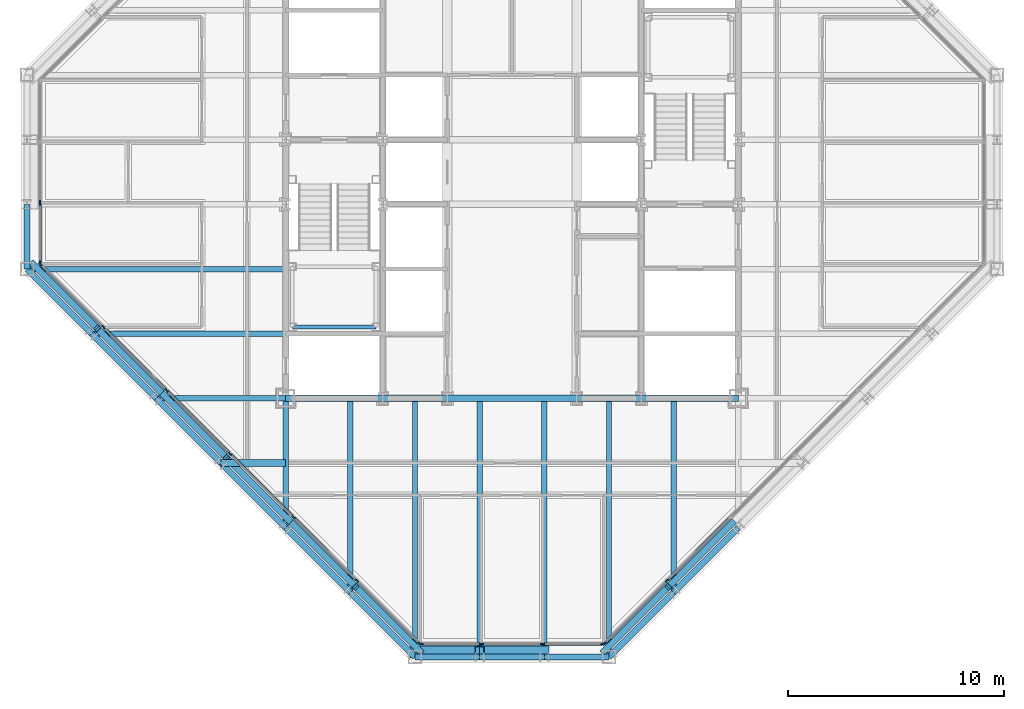
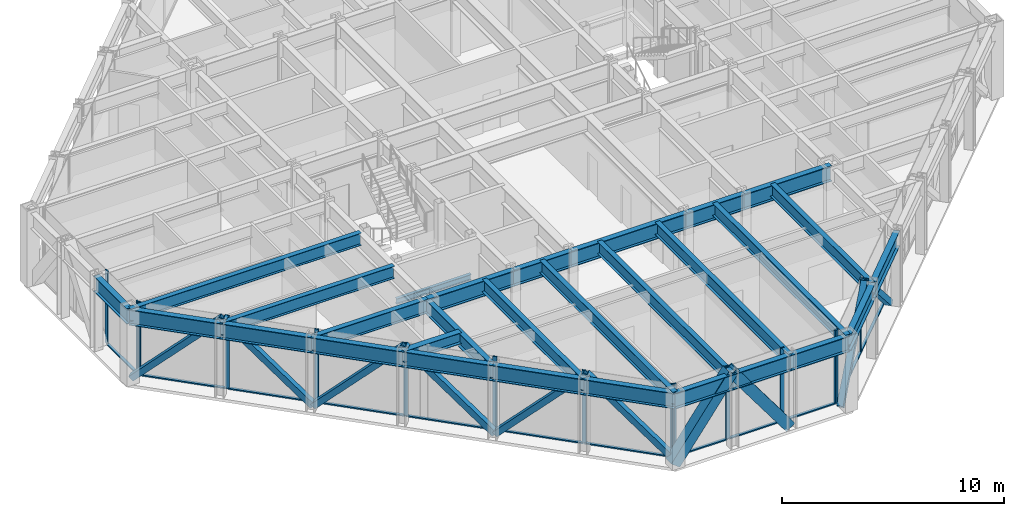
# One storey, part 5 of 15: 37 members, 29 beams, 4 elements without a shape of their own.
"""IFC4 building model written with IfcOpenShell, lengths in metres."""

from ifc_helpers import new_model, si_unit, direction, frame, origin, origin_2d, place, context, subcontext, project, spatial, rectangle, hollow_rectangle, i_section, extrude, material, layer, layer_set, material_profile, profile_set, type_object, element, aggregate, save


model = new_model("IFC4")

# Units and contexts
model_context = context("Model", 3, precision=1e-05, world=origin(), true_north=direction((0.0, 1.0)))
body_context = subcontext(model_context, "Body", "Model", "MODEL_VIEW")
ifc_project = project(units=[si_unit("LENGTHUNIT", "METRE"), si_unit("AREAUNIT", "SQUARE_METRE"), si_unit("VOLUMEUNIT", "CUBIC_METRE"), si_unit("PLANEANGLEUNIT", "RADIAN"), si_unit("MASSUNIT", "GRAM", prefix="KILO")], contexts=[model_context])

# Site, building, storey
site_placement = place(None, origin())
site = spatial("IfcSite", under=ifc_project, at=site_placement, CompositionType="ELEMENT")
building_placement = place(site_placement, origin())
building = spatial("IfcBuilding", under=site, at=building_placement, Name="Chuquiago Exchange Tower", CompositionType="ELEMENT")
storey_placement = place(building_placement, frame((0.0, 0.0, 270.60009765625)))
storey = spatial("IfcBuildingStorey", under=building, at=storey_placement, Name="L60", CompositionType="ELEMENT", Elevation=270.60009765625)

# Beams
ifc_material_1 = material(Name="Steel ASTM A992", Category="steel")
ifc_material_profile_1 = material_profile(ifc_material_1, i_section(OverallWidth=0.25390625, OverallDepth=0.683349609375, WebThickness=0.012451171875, FlangeThickness=0.018798828125, at=origin_2d()), Name="W27X94")
ifc_profile_set_1 = profile_set([ifc_material_profile_1], Name="Steel ASTM A992")
beam_type_1 = type_object("IfcBeamType", Name="B1 W27X94", PredefinedType="BEAM", material=ifc_profile_set_1)
beam_1_placement = place(storey_placement, frame((15.0, 12.0, 3.6982421875), z_axis=(0.0, -1.0, 0.0), x_axis=(1.0, 0.0, 0.0)))
element("IfcBeam", 1, at=beam_1_placement, inside=storey, type_object=beam_type_1, Name="FB-L61-infill-15_12-15_3-0", PredefinedType="BEAM", context=body_context, shape_type="SweptSolid", body=[
    extrude(i_section(OverallWidth=0.25390625, OverallDepth=0.683349609375, WebThickness=0.012451171875, FlangeThickness=0.018798828125, at=origin_2d()), origin(), (0.0, 0.0, 1.0), 9.0),
])
for number, where, z_axis, x_axis, name in (
    (2, (18.0, 12.0, 3.6982421875), (0.0, -1.0, 0.0), (1.0, 0.0, 0.0), "FB-L61-infill-18_12-18_-0-0"),
    (3, (21.0, 12.0, 3.6982421875), (0.0, -1.0, 0.0), (1.0, 0.0, 0.0), "FB-L61-infill-21_12-21_-0-0"),
    (4, (24.0, 12.0, 3.6982421875), (0.0, -1.0, 0.0), (1.0, 0.0, 0.0), "FB-L61-infill-24_12-24_-0-0"),
    (5, (27.0, 12.0, 3.6982421875), (0.0, -1.0, 0.0), (1.0, 0.0, 0.0), "FB-L61-infill-27_12-27_-0-0"),
):
    element("IfcBeam", number, at=place(storey_placement, frame(where, z_axis=z_axis, x_axis=x_axis)), inside=storey, type_object=beam_type_1, Name=name, PredefinedType="BEAM", context=body_context, shape_type="SweptSolid", body=[
        extrude(i_section(OverallWidth=0.25390625, OverallDepth=0.683349609375, WebThickness=0.012451171875, FlangeThickness=0.018798828125, at=origin_2d()), origin(), (0.0, 0.0, 1.0), 12.0),
    ])
for number, where, z_axis, x_axis, name in (
    (6, (30.0, 12.0, 3.6982421875), (0.0, -1.0, 0.0), (1.0, 0.0, 0.0), "FB-L61-infill-30_12-30_3-0"),
    (7, (12.0, 15.0, 3.6982421875), (-1.0, 0.0, 0.0), (0.0, -1.0, 0.0), "FB-L61-infill-12_15-3_15-0"),
):
    element("IfcBeam", number, at=place(storey_placement, frame(where, z_axis=z_axis, x_axis=x_axis)), inside=storey, type_object=beam_type_1, Name=name, PredefinedType="BEAM", context=body_context, shape_type="SweptSolid", body=[
        extrude(i_section(OverallWidth=0.25390625, OverallDepth=0.683349609375, WebThickness=0.012451171875, FlangeThickness=0.018798828125, at=origin_2d()), origin(), (0.0, 0.0, 1.0), 9.0),
    ])
beam_2_placement = place(storey_placement, frame((12.0, 18.0, 3.6982421875), z_axis=(-1.0, 0.0, 0.0), x_axis=(0.0, -1.0, 0.0)))
element("IfcBeam", 8, at=beam_2_placement, inside=storey, type_object=beam_type_1, Name="FB-L61-infill-12_18--0_18-0", PredefinedType="BEAM", context=body_context, shape_type="SweptSolid", body=[
    extrude(i_section(OverallWidth=0.25390625, OverallDepth=0.683349609375, WebThickness=0.012451171875, FlangeThickness=0.018798828125, at=origin_2d()), origin(), (0.0, 0.0, 1.0), 12.0),
])
ifc_material_2 = material(Name="Steel ASTM A992", Category="steel")
ifc_material_profile_2 = material_profile(ifc_material_2, i_section(OverallWidth=0.3251953125, OverallDepth=0.612060546875, WebThickness=0.0126953125, FlangeThickness=0.01904296875, at=origin_2d()), Name="W24X104")
ifc_profile_set_2 = profile_set([ifc_material_profile_2], Name="Steel ASTM A992")
beam_type_2 = type_object("IfcBeamType", Name="B2 W24X104", PredefinedType="BEAM", material=ifc_profile_set_2)
beam_3_placement = place(storey_placement, frame((12.0, 9.0, 3.73388671875), z_axis=(-1.0, 0.0, 0.0), x_axis=(0.0, -1.0, 0.0)))
element("IfcBeam", 9, at=beam_3_placement, inside=storey, type_object=beam_type_2, Name="FB-L61-corner-12_9-9_9-0", PredefinedType="BEAM", context=body_context, shape_type="SweptSolid", body=[
    extrude(i_section(OverallWidth=0.3251953125, OverallDepth=0.612060546875, WebThickness=0.0126953125, FlangeThickness=0.01904296875, at=origin_2d()), origin(), (0.0, 0.0, 1.0), 3.0),
])
ifc_material_3 = material(Name="Steel ASTM A992", Category="steel")
ifc_material_profile_3 = material_profile(ifc_material_3, i_section(OverallWidth=0.2919921875, OverallDepth=0.8583984375, WebThickness=0.01708984375, FlangeThickness=0.031005859375, at=origin_2d()), Name="W33X169")
ifc_profile_set_3 = profile_set([ifc_material_profile_3], Name="Steel ASTM A992")
beam_type_3 = type_object("IfcBeamType", Name="B3 W33X169", PredefinedType="BEAM", material=ifc_profile_set_3)
beam_4_placement = place(storey_placement, frame((12.0, 12.0, 3.610595703125), z_axis=(1.0, 0.0, 0.0), x_axis=(0.0, 1.0, 0.0)))
element("IfcBeam", 10, at=beam_4_placement, inside=storey, type_object=beam_type_3, Name="CB-L61-12_12-16.5_12", PredefinedType="BEAM", context=body_context, shape_type="SweptSolid", body=[
    extrude(i_section(OverallWidth=0.2919921875, OverallDepth=0.8583984375, WebThickness=0.01708984375, FlangeThickness=0.031005859375, at=origin_2d()), origin(), (0.0, 0.0, 1.0), 4.5),
])
beam_5_placement = place(storey_placement, frame((16.5, 12.0, 3.610595703125), z_axis=(1.0, 0.0, 0.0), x_axis=(0.0, 1.0, 0.0)))
element("IfcBeam", 11, at=beam_5_placement, inside=storey, type_object=beam_type_3, Name="CB-L61-16.5_12-19.5_12", PredefinedType="BEAM", context=body_context, shape_type="SweptSolid", body=[
    extrude(i_section(OverallWidth=0.2919921875, OverallDepth=0.8583984375, WebThickness=0.01708984375, FlangeThickness=0.031005859375, at=origin_2d()), origin(), (0.0, 0.0, 1.0), 3.0),
])
beam_6_placement = place(storey_placement, frame((19.5, 12.0, 3.610595703125), z_axis=(1.0, 0.0, 0.0), x_axis=(0.0, 1.0, 0.0)))
element("IfcBeam", 12, at=beam_6_placement, inside=storey, type_object=beam_type_3, Name="CB-L61-19.5_12-25.5_12", PredefinedType="BEAM", context=body_context, shape_type="SweptSolid", body=[
    extrude(i_section(OverallWidth=0.2919921875, OverallDepth=0.8583984375, WebThickness=0.01708984375, FlangeThickness=0.031005859375, at=origin_2d()), origin(), (0.0, 0.0, 1.0), 6.0),
])
beam_7_placement = place(storey_placement, frame((25.5, 12.0, 3.610595703125), z_axis=(1.0, 0.0, 0.0), x_axis=(0.0, 1.0, 0.0)))
element("IfcBeam", 13, at=beam_7_placement, inside=storey, type_object=beam_type_3, Name="CB-L61-25.5_12-28.5_12", PredefinedType="BEAM", context=body_context, shape_type="SweptSolid", body=[
    extrude(i_section(OverallWidth=0.2919921875, OverallDepth=0.8583984375, WebThickness=0.01708984375, FlangeThickness=0.031005859375, at=origin_2d()), origin(), (0.0, 0.0, 1.0), 3.0),
])
beam_8_placement = place(storey_placement, frame((28.5, 12.0, 3.610595703125), z_axis=(1.0, 0.0, 0.0), x_axis=(0.0, 1.0, 0.0)))
element("IfcBeam", 14, at=beam_8_placement, inside=storey, type_object=beam_type_3, Name="CB-L61-28.5_12-33_12", PredefinedType="BEAM", context=body_context, shape_type="SweptSolid", body=[
    extrude(i_section(OverallWidth=0.2919921875, OverallDepth=0.8583984375, WebThickness=0.01708984375, FlangeThickness=0.031005859375, at=origin_2d()), origin(), (0.0, 0.0, 1.0), 4.5),
])

# Curtain wall, members
ifc_material_4 = material(Name="Aluminium curtain wall system", Category="aluminium")
ifc_layer_1 = layer(ifc_material_4, 0.22509765625)
ifc_layer_set_1 = layer_set([ifc_layer_1], Name="CW2 office curtain wall")
curtain_wall_type_1 = type_object("IfcCurtainWallType", Name="CW2 office curtain wall", PredefinedType="NOTDEFINED", material=ifc_layer_set_1)
curtain_wall_1_placement = place(storey_placement, origin())
curtain_wall_1 = element("IfcCurtainWall", 15, at=curtain_wall_1_placement, inside=storey, type_object=curtain_wall_type_1, Name="CW2 curtain wall L60", PredefinedType="NOTDEFINED")
ifc_material_5 = material(Name="Aluminium mullion, pale anodised", Category="aluminium")
ifc_material_profile_4 = material_profile(ifc_material_5, rectangle(XDim=0.06494140625, YDim=0.22509765625, at=origin_2d()), Name="AL 65x225")
ifc_profile_set_4 = profile_set([ifc_material_profile_4], Name="Aluminium mullion, pale anodised")
member_type_1 = type_object("IfcMemberType", Name="CW2-M mullion 65x225", PredefinedType="MULLION", material=ifc_profile_set_4)
member_1_placement = place(storey_placement, frame((18.281005859375, 0.60009765625, 0.0), z_axis=(0.0, 0.0, 1.0), x_axis=(0.0, 1.0, 0.0)))
member_1 = element("IfcMember", 16, at=member_1_placement, type_object=member_type_1, Name="CW2 mullion 1", PredefinedType="MULLION", context=body_context, shape_type="SweptSolid", body=[
    extrude(rectangle(XDim=0.06494140625, YDim=0.22509765625, at=origin_2d()), origin(), (0.0, 0.0, 1.0), 4.039794921875),
])
member_2_placement = place(storey_placement, frame((21.082763671875, 0.60009765625, 0.0), z_axis=(0.0, 0.0, 1.0), x_axis=(0.0, 1.0, 0.0)))
member_2 = element("IfcMember", 17, at=member_2_placement, type_object=member_type_1, Name="CW2 mullion 2", PredefinedType="MULLION", context=body_context, shape_type="SweptSolid", body=[
    extrude(rectangle(XDim=0.06494140625, YDim=0.22509765625, at=origin_2d()), origin(), (0.0, 0.0, 1.0), 4.039794921875),
])
member_3_placement = place(storey_placement, frame((23.917236328125, 0.60009765625, 0.0), z_axis=(0.0, 0.0, 1.0), x_axis=(0.0, 1.0, 0.0)))
member_3 = element("IfcMember", 18, at=member_3_placement, type_object=member_type_1, Name="CW2 mullion 3", PredefinedType="MULLION", context=body_context, shape_type="SweptSolid", body=[
    extrude(rectangle(XDim=0.06494140625, YDim=0.22509765625, at=origin_2d()), origin(), (0.0, 0.0, 1.0), 4.039794921875),
])
member_4_placement = place(storey_placement, frame((26.718994140625, 0.60009765625, 0.0), z_axis=(0.0, 0.0, 1.0), x_axis=(0.0, 1.0, 0.0)))
member_4 = element("IfcMember", 19, at=member_4_placement, type_object=member_type_1, Name="CW2 mullion 4", PredefinedType="MULLION", context=body_context, shape_type="SweptSolid", body=[
    extrude(rectangle(XDim=0.06494140625, YDim=0.22509765625, at=origin_2d()), origin(), (0.0, 0.0, 1.0), 4.039794921875),
])

curtain_wall_2_placement = place(storey_placement, origin())
curtain_wall_2 = element("IfcCurtainWall", 20, at=curtain_wall_2_placement, inside=storey, type_object=curtain_wall_type_1, Name="CW2 curtain wall L60", PredefinedType="NOTDEFINED")
member_5_placement = place(storey_placement, frame((0.60009765625, 21.082763671875, 0.0), z_axis=(0.0, 0.0, 1.0), x_axis=(1.0, 0.0, 0.0)))
member_5 = element("IfcMember", 21, at=member_5_placement, type_object=member_type_1, Name="CW2 mullion 3", PredefinedType="MULLION", context=body_context, shape_type="SweptSolid", body=[
    extrude(rectangle(XDim=0.06494140625, YDim=0.22509765625, at=origin_2d()), origin(), (0.0, 0.0, 1.0), 4.039794921875),
])
member_6_placement = place(storey_placement, frame((0.60009765625, 18.281005859375, 0.0), z_axis=(0.0, 0.0, 1.0), x_axis=(1.0, 0.0, 0.0)))
member_6 = element("IfcMember", 22, at=member_6_placement, type_object=member_type_1, Name="CW2 mullion 4", PredefinedType="MULLION", context=body_context, shape_type="SweptSolid", body=[
    extrude(rectangle(XDim=0.06494140625, YDim=0.22509765625, at=origin_2d()), origin(), (0.0, 0.0, 1.0), 4.039794921875),
])

# Member
ifc_material_6 = material(Name="Aluminium transom, pale anodised", Category="aluminium")
ifc_material_profile_5 = material_profile(ifc_material_6, rectangle(XDim=0.139892578125, YDim=0.06494140625, at=origin_2d()), Name="AL 140x65")
ifc_profile_set_5 = profile_set([ifc_material_profile_5], Name="Aluminium transom, pale anodised")
member_type_2 = type_object("IfcMemberType", Name="CW2-T transom 65x140", PredefinedType="MULLION", material=ifc_profile_set_5)
member_7_placement = place(storey_placement, frame((18.3134765625, 0.60009765625, 0.032470703125), z_axis=(1.0, 0.0, 0.0), x_axis=(0.0, 1.0, 0.0)))
member_7 = element("IfcMember", 23, at=member_7_placement, type_object=member_type_2, Name="CW2 transom 1.1", PredefinedType="MULLION", context=body_context, shape_type="SweptSolid", body=[
    extrude(rectangle(XDim=0.139892578125, YDim=0.06494140625, at=origin_2d()), origin(), (0.0, 0.0, 1.0), 2.73681640625),
])

member_8_placement = place(storey_placement, frame((21.115234375, 0.60009765625, 0.032470703125), z_axis=(1.0, 0.0, 0.0), x_axis=(0.0, 1.0, 0.0)))
member_8 = element("IfcMember", 24, at=member_8_placement, type_object=member_type_2, Name="CW2 transom 2.1", PredefinedType="MULLION", context=body_context, shape_type="SweptSolid", body=[
    extrude(rectangle(XDim=0.139892578125, YDim=0.06494140625, at=origin_2d()), origin(), (0.0, 0.0, 1.0), 2.76953125),
])

member_9_placement = place(storey_placement, frame((23.94970703125, 0.60009765625, 0.032470703125), z_axis=(1.0, 0.0, 0.0), x_axis=(0.0, 1.0, 0.0)))
member_9 = element("IfcMember", 25, at=member_9_placement, type_object=member_type_2, Name="CW2 transom 3.1", PredefinedType="MULLION", context=body_context, shape_type="SweptSolid", body=[
    extrude(rectangle(XDim=0.139892578125, YDim=0.06494140625, at=origin_2d()), origin(), (0.0, 0.0, 1.0), 2.73681640625),
])

aggregate(curtain_wall_1, [member_1, member_2, member_3, member_4, member_7, member_8, member_9])

member_10_placement = place(storey_placement, frame((0.60009765625, 21.05029296875, 0.032470703125), z_axis=(0.0, -1.0, 0.0), x_axis=(1.0, 0.0, 0.0)))
member_10 = element("IfcMember", 26, at=member_10_placement, type_object=member_type_2, Name="CW2 transom 3.1", PredefinedType="MULLION", context=body_context, shape_type="SweptSolid", body=[
    extrude(rectangle(XDim=0.139892578125, YDim=0.06494140625, at=origin_2d()), origin(), (0.0, 0.0, 1.0), 2.73681640625),
])

aggregate(curtain_wall_2, [member_5, member_6, member_10])

# Curtain wall, members
ifc_material_7 = material(Name="Aluminium curtain wall system", Category="aluminium")
ifc_layer_2 = layer(ifc_material_7, 0.199951171875)
ifc_layer_set_2 = layer_set([ifc_layer_2], Name="CW3 facet curtain wall")
curtain_wall_type_2 = type_object("IfcCurtainWallType", Name="CW3 facet curtain wall", PredefinedType="NOTDEFINED", material=ifc_layer_set_2)
curtain_wall_3_placement = place(storey_placement, origin())
curtain_wall_3 = element("IfcCurtainWall", 27, at=curtain_wall_3_placement, inside=storey, type_object=curtain_wall_type_2, Name="CW3 curtain wall L60", PredefinedType="NOTDEFINED")
ifc_material_8 = material(Name="Aluminium mullion, pale anodised", Category="aluminium")
ifc_material_profile_6 = material_profile(ifc_material_8, rectangle(XDim=0.06494140625, YDim=0.199951171875, at=origin_2d()), Name="AL 65x200")
ifc_profile_set_6 = profile_set([ifc_material_profile_6], Name="Aluminium mullion, pale anodised")
member_type_3 = type_object("IfcMemberType", Name="CW3-M mullion 65x200", PredefinedType="MULLION", material=ifc_profile_set_6)
member_11_placement = place(storey_placement, frame((26.7744140625, 0.623046875, 0.0), z_axis=(0.0, 0.0, 1.0), x_axis=(-0.707106781187, 0.707106781187, 0.0)))
member_11 = element("IfcMember", 28, at=member_11_placement, type_object=member_type_3, Name="CW3 mullion 1", PredefinedType="MULLION", context=body_context, shape_type="SweptSolid", body=[
    extrude(rectangle(XDim=0.06494140625, YDim=0.199951171875, at=origin_2d()), origin(), (0.0, 0.0, 1.0), 4.039794921875),
])
member_12_placement = place(storey_placement, frame((29.69287109375, 3.54150390625, 0.0), z_axis=(0.0, 0.0, 1.0), x_axis=(-0.707106781187, 0.707106781187, 0.0)))
member_12 = element("IfcMember", 29, at=member_12_placement, type_object=member_type_3, Name="CW3 mullion 2", PredefinedType="MULLION", context=body_context, shape_type="SweptSolid", body=[
    extrude(rectangle(XDim=0.06494140625, YDim=0.199951171875, at=origin_2d()), origin(), (0.0, 0.0, 1.0), 4.039794921875),
])

curtain_wall_4_placement = place(storey_placement, origin())
curtain_wall_4 = element("IfcCurtainWall", 30, at=curtain_wall_4_placement, inside=storey, type_object=curtain_wall_type_2, Name="CW3 curtain wall L60", PredefinedType="NOTDEFINED")
member_13_placement = place(storey_placement, frame((0.623046875, 18.2255859375, 0.0), z_axis=(0.0, 0.0, 1.0), x_axis=(0.707106781187, 0.707106781187, 0.0)))
member_13 = element("IfcMember", 31, at=member_13_placement, type_object=member_type_3, Name="CW3 mullion 1", PredefinedType="MULLION", context=body_context, shape_type="SweptSolid", body=[
    extrude(rectangle(XDim=0.06494140625, YDim=0.199951171875, at=origin_2d()), origin(), (0.0, 0.0, 1.0), 4.039794921875),
])
member_14_placement = place(storey_placement, frame((3.54150390625, 15.30712890625, 0.0), z_axis=(0.0, 0.0, 1.0), x_axis=(0.707106781187, 0.707106781187, 0.0)))
member_14 = element("IfcMember", 32, at=member_14_placement, type_object=member_type_3, Name="CW3 mullion 2", PredefinedType="MULLION", context=body_context, shape_type="SweptSolid", body=[
    extrude(rectangle(XDim=0.06494140625, YDim=0.199951171875, at=origin_2d()), origin(), (0.0, 0.0, 1.0), 4.039794921875),
])
member_15_placement = place(storey_placement, frame((6.48291015625, 12.36572265625, 0.0), z_axis=(0.0, 0.0, 1.0), x_axis=(0.707106781187, 0.707106781187, 0.0)))
member_15 = element("IfcMember", 33, at=member_15_placement, type_object=member_type_3, Name="CW3 mullion 3", PredefinedType="MULLION", context=body_context, shape_type="SweptSolid", body=[
    extrude(rectangle(XDim=0.06494140625, YDim=0.199951171875, at=origin_2d()), origin(), (0.0, 0.0, 1.0), 4.039794921875),
])
member_16_placement = place(storey_placement, frame((9.42431640625, 9.42431640625, 0.0), z_axis=(0.0, 0.0, 1.0), x_axis=(0.707106781187, 0.707106781187, 0.0)))
member_16 = element("IfcMember", 34, at=member_16_placement, type_object=member_type_3, Name="CW3 mullion 4", PredefinedType="MULLION", context=body_context, shape_type="SweptSolid", body=[
    extrude(rectangle(XDim=0.06494140625, YDim=0.199951171875, at=origin_2d()), origin(), (0.0, 0.0, 1.0), 4.039794921875),
])
member_17_placement = place(storey_placement, frame((12.36572265625, 6.48291015625, 0.0), z_axis=(0.0, 0.0, 1.0), x_axis=(0.707106781187, 0.707106781187, 0.0)))
member_17 = element("IfcMember", 35, at=member_17_placement, type_object=member_type_3, Name="CW3 mullion 5", PredefinedType="MULLION", context=body_context, shape_type="SweptSolid", body=[
    extrude(rectangle(XDim=0.06494140625, YDim=0.199951171875, at=origin_2d()), origin(), (0.0, 0.0, 1.0), 4.039794921875),
])
member_18_placement = place(storey_placement, frame((15.30712890625, 3.54150390625, 0.0), z_axis=(0.0, 0.0, 1.0), x_axis=(0.707106781187, 0.707106781187, 0.0)))
member_18 = element("IfcMember", 36, at=member_18_placement, type_object=member_type_3, Name="CW3 mullion 6", PredefinedType="MULLION", context=body_context, shape_type="SweptSolid", body=[
    extrude(rectangle(XDim=0.06494140625, YDim=0.199951171875, at=origin_2d()), origin(), (0.0, 0.0, 1.0), 4.039794921875),
])
member_19_placement = place(storey_placement, frame((18.2255859375, 0.623046875, 0.0), z_axis=(0.0, 0.0, 1.0), x_axis=(0.707106781187, 0.707106781187, 0.0)))
member_19 = element("IfcMember", 37, at=member_19_placement, type_object=member_type_3, Name="CW3 mullion 7", PredefinedType="MULLION", context=body_context, shape_type="SweptSolid", body=[
    extrude(rectangle(XDim=0.06494140625, YDim=0.199951171875, at=origin_2d()), origin(), (0.0, 0.0, 1.0), 4.039794921875),
])

# Member
ifc_material_9 = material(Name="Aluminium transom, pale anodised", Category="aluminium")
ifc_material_profile_7 = material_profile(ifc_material_9, rectangle(XDim=0.139892578125, YDim=0.06494140625, at=origin_2d()), Name="AL 140x65")
ifc_profile_set_7 = profile_set([ifc_material_profile_7], Name="Aluminium transom, pale anodised")
member_type_4 = type_object("IfcMemberType", Name="CW3-T transom 65x140", PredefinedType="MULLION", material=ifc_profile_set_7)
member_20_placement = place(storey_placement, frame((26.79736328125, 0.64599609375, 0.032470703125), z_axis=(0.707106781187, 0.707106781187, 0.0), x_axis=(-0.707106781187, 0.707106781187, 0.0)))
member_20 = element("IfcMember", 38, at=member_20_placement, type_object=member_type_4, Name="CW3 transom 1.1", PredefinedType="MULLION", context=body_context, shape_type="SweptSolid", body=[
    extrude(rectangle(XDim=0.139892578125, YDim=0.06494140625, at=origin_2d()), origin(), (0.0, 0.0, 1.0), 4.0625),
])

member_21_placement = place(storey_placement, frame((29.7158203125, 3.564453125, 0.032470703125), z_axis=(0.707106781187, 0.707106781187, 0.0), x_axis=(-0.707106781187, 0.707106781187, 0.0)))
member_21 = element("IfcMember", 39, at=member_21_placement, type_object=member_type_4, Name="CW3 transom 2.1", PredefinedType="MULLION", context=body_context, shape_type="SweptSolid", body=[
    extrude(rectangle(XDim=0.139892578125, YDim=0.06494140625, at=origin_2d()), origin(), (0.0, 0.0, 1.0), 4.094970703125),
])

aggregate(curtain_wall_3, [member_11, member_12, member_20, member_21])

member_22_placement = place(storey_placement, frame((0.64599609375, 18.20263671875, 0.032470703125), z_axis=(0.707106781187, -0.707106781187, 0.0), x_axis=(0.707106781187, 0.707106781187, 0.0)))
member_22 = element("IfcMember", 40, at=member_22_placement, type_object=member_type_4, Name="CW3 transom 1.1", PredefinedType="MULLION", context=body_context, shape_type="SweptSolid", body=[
    extrude(rectangle(XDim=0.139892578125, YDim=0.06494140625, at=origin_2d()), origin(), (0.0, 0.0, 1.0), 4.0625),
])

member_23_placement = place(storey_placement, frame((3.564453125, 15.2841796875, 0.032470703125), z_axis=(0.707106781187, -0.707106781187, 0.0), x_axis=(0.707106781187, 0.707106781187, 0.0)))
member_23 = element("IfcMember", 41, at=member_23_placement, type_object=member_type_4, Name="CW3 transom 2.1", PredefinedType="MULLION", context=body_context, shape_type="SweptSolid", body=[
    extrude(rectangle(XDim=0.139892578125, YDim=0.06494140625, at=origin_2d()), origin(), (0.0, 0.0, 1.0), 4.094970703125),
])

member_24_placement = place(storey_placement, frame((6.505859375, 12.3427734375, 0.032470703125), z_axis=(0.707106781187, -0.707106781187, 0.0), x_axis=(0.707106781187, 0.707106781187, 0.0)))
member_24 = element("IfcMember", 42, at=member_24_placement, type_object=member_type_4, Name="CW3 transom 3.1", PredefinedType="MULLION", context=body_context, shape_type="SweptSolid", body=[
    extrude(rectangle(XDim=0.139892578125, YDim=0.06494140625, at=origin_2d()), origin(), (0.0, 0.0, 1.0), 4.094970703125),
])

member_25_placement = place(storey_placement, frame((9.447265625, 9.4013671875, 0.032470703125), z_axis=(0.707106781187, -0.707106781187, 0.0), x_axis=(0.707106781187, 0.707106781187, 0.0)))
member_25 = element("IfcMember", 43, at=member_25_placement, type_object=member_type_4, Name="CW3 transom 4.1", PredefinedType="MULLION", context=body_context, shape_type="SweptSolid", body=[
    extrude(rectangle(XDim=0.139892578125, YDim=0.06494140625, at=origin_2d()), origin(), (0.0, 0.0, 1.0), 4.094970703125),
])

member_26_placement = place(storey_placement, frame((12.388671875, 6.4599609375, 0.032470703125), z_axis=(0.707106781187, -0.707106781187, 0.0), x_axis=(0.707106781187, 0.707106781187, 0.0)))
member_26 = element("IfcMember", 44, at=member_26_placement, type_object=member_type_4, Name="CW3 transom 5.1", PredefinedType="MULLION", context=body_context, shape_type="SweptSolid", body=[
    extrude(rectangle(XDim=0.139892578125, YDim=0.06494140625, at=origin_2d()), origin(), (0.0, 0.0, 1.0), 4.094970703125),
])

member_27_placement = place(storey_placement, frame((15.330078125, 3.5185546875, 0.032470703125), z_axis=(0.707106781187, -0.707106781187, 0.0), x_axis=(0.707106781187, 0.707106781187, 0.0)))
member_27 = element("IfcMember", 45, at=member_27_placement, type_object=member_type_4, Name="CW3 transom 6.1", PredefinedType="MULLION", context=body_context, shape_type="SweptSolid", body=[
    extrude(rectangle(XDim=0.139892578125, YDim=0.06494140625, at=origin_2d()), origin(), (0.0, 0.0, 1.0), 4.0625),
])

aggregate(curtain_wall_4, [member_13, member_14, member_15, member_16, member_17, member_18, member_19, member_22, member_23, member_24, member_25, member_26, member_27])

# Beams
ifc_material_10 = material(Name="Steel ASTM A992", Category="steel")
ifc_material_profile_8 = material_profile(ifc_material_10, i_section(OverallWidth=0.2666015625, OverallDepth=0.76953125, WebThickness=0.015625, FlangeThickness=0.025390625, at=origin_2d()), Name="W30X132")
ifc_profile_set_8 = profile_set([ifc_material_profile_8], Name="Steel ASTM A992")
beam_type_4 = type_object("IfcBeamType", Name="G1 W30X132", PredefinedType="BEAM", material=ifc_profile_set_8)
for number, where, z_axis, x_axis, name in (
    (46, (12.0, 12.0, 3.655029296875), (0.0, -1.0, 0.0), (1.0, 0.0, 0.0), "FB-L61-girder-12_12-12_6-0"),
    (47, (12.0, 12.0, 3.655029296875), (-1.0, 0.0, 0.0), (0.0, -1.0, 0.0), "FB-L61-girder-12_12-6_12-0"),
):
    element("IfcBeam", number, at=place(storey_placement, frame(where, z_axis=z_axis, x_axis=x_axis)), inside=storey, type_object=beam_type_4, Name=name, PredefinedType="BEAM", context=body_context, shape_type="SweptSolid", body=[
        extrude(i_section(OverallWidth=0.2666015625, OverallDepth=0.76953125, WebThickness=0.015625, FlangeThickness=0.025390625, at=origin_2d()), origin(), (0.0, 0.0, 1.0), 6.0),
    ])

# Members
ifc_material_11 = material(Name="Steel ASTM A500 Grade C", Category="steel")
ifc_material_profile_9 = material_profile(ifc_material_11, hollow_rectangle(XDim=0.3046875, YDim=0.3046875, WallThickness=0.0146484375, at=origin_2d()), Name="HSS12X12X5/8")
ifc_profile_set_9 = profile_set([ifc_material_profile_9], Name="Steel ASTM A500 Grade C")
member_type_5 = type_object("IfcMemberType", Name="LB3 HSS12X12X5/8", PredefinedType="BRACE", material=ifc_profile_set_9)
for number, where, z_axis, x_axis, name in (
    (48, (26.750732421875, 0.249267578125, 0.0), (0.51209198167, 0.51209198167, 0.689582195694), (-0.707106781187, 0.707106781187, 0.0), "LB-L60-27_0-30_3"),
    (49, (32.750732421875, 6.249267578125, 0.0), (-0.51209198167, -0.51209198167, 0.689582195694), (0.707106781187, -0.707106781187, 0.0), "LB-L60-30_3-33_6"),
    (50, (0.249267578125, 18.249267578125, 0.0), (0.51209198167, -0.51209198167, 0.689582195694), (0.707106781187, 0.707106781187, 0.0), "LB-L60-0_18-3_15"),
    (51, (6.249267578125, 12.249267578125, 0.0), (-0.51209198167, 0.51209198167, 0.689582195694), (-0.707106781187, -0.707106781187, 0.0), "LB-L60-3_15-6_12"),
    (52, (6.249267578125, 12.249267578125, 0.0), (0.51209198167, -0.51209198167, 0.689582195694), (0.707106781187, 0.707106781187, 0.0), "LB-L60-6_12-9_9"),
    (53, (12.249267578125, 6.249267578125, 0.0), (-0.51209198167, 0.51209198167, 0.689582195694), (-0.707106781187, -0.707106781187, 0.0), "LB-L60-9_9-12_6"),
    (54, (12.249267578125, 6.249267578125, 0.0), (0.51209198167, -0.51209198167, 0.689582195694), (0.707106781187, 0.707106781187, 0.0), "LB-L60-12_6-15_3"),
    (55, (18.249267578125, 0.249267578125, 0.0), (-0.51209198167, 0.51209198167, 0.689582195694), (-0.707106781187, -0.707106781187, 0.0), "LB-L60-15_3-18_0"),
):
    element("IfcMember", number, at=place(storey_placement, frame(where, z_axis=z_axis, x_axis=x_axis)), inside=storey, type_object=member_type_5, Name=name, PredefinedType="BRACE", context=body_context, shape_type="SweptSolid", body=[
        extrude(hollow_rectangle(XDim=0.3046875, YDim=0.3046875, WallThickness=0.0146484375, at=origin_2d()), origin(), (0.0, 0.0, 1.0), 5.8583984375),
    ])

# Beam
ifc_material_12 = material(Name="Steel ASTM A992", Category="steel")
ifc_material_profile_10 = material_profile(ifc_material_12, i_section(OverallWidth=0.164794921875, OverallDepth=0.309814453125, WebThickness=0.005859375, FlangeThickness=0.009765625, at=origin_2d()), Name="W12X26")
ifc_profile_set_10 = profile_set([ifc_material_profile_10], Name="Steel ASTM A992")
beam_type_5 = type_object("IfcBeamType", Name="LT1 W12X26", PredefinedType="BEAM", material=ifc_profile_set_10)
beam_9_placement = place(storey_placement, frame((12.31005859375, 15.31005859375, 1.7451171875), z_axis=(1.0, 0.0, 0.0), x_axis=(0.0, 1.0, 0.0)))
element("IfcBeam", 56, at=beam_9_placement, inside=storey, type_object=beam_type_5, Name="Stair ST1 L60 landing 1 trimmer", PredefinedType="BEAM", context=body_context, shape_type="SweptSolid", body=[
    extrude(i_section(OverallWidth=0.164794921875, OverallDepth=0.309814453125, WebThickness=0.005859375, FlangeThickness=0.009765625, at=origin_2d()), origin(), (0.0, 0.0, 1.0), 3.8798828125),
])

# Members
ifc_material_13 = material(Name="Steel ASTM A572 Grade 50", Category="steel")
ifc_material_profile_11 = material_profile(ifc_material_13, hollow_rectangle(XDim=0.550048828125, YDim=0.550048828125, WallThickness=0.044921875, at=origin_2d()), Name="BOX550X550X45")
ifc_profile_set_11 = profile_set([ifc_material_profile_11], Name="Steel ASTM A572 Grade 50")
member_type_6 = type_object("IfcMemberType", Name="MB4 BOX550X550X45", PredefinedType="BRACE", material=ifc_profile_set_11)
for number, where, z_axis, x_axis, name in (
    (57, (18.0, 0.22998046875, 0.0), (0.596197146086, 0.0, 0.802838067732), (0.0, 1.0, 0.0), "Mega diagonal L60 S face"),
    (58, (24.0, 0.22998046875, 0.0), (-0.596197146086, 0.0, 0.802838067732), (0.0, -1.0, 0.0), "Mega diagonal L60 S face"),
):
    element("IfcMember", number, at=place(storey_placement, frame(where, z_axis=z_axis, x_axis=x_axis)), inside=storey, type_object=member_type_6, Name=name, PredefinedType="BRACE", context=body_context, shape_type="SweptSolid", body=[
        extrude(hollow_rectangle(XDim=0.550048828125, YDim=0.550048828125, WallThickness=0.044921875, at=origin_2d()), origin(), (0.0, 0.0, 1.0), 5.031982421875),
    ])

# Beams
ifc_material_14 = material(Name="Steel ASTM A992", Category="steel")
ifc_material_profile_12 = material_profile(ifc_material_14, i_section(OverallWidth=0.2919921875, OverallDepth=0.8583984375, WebThickness=0.01708984375, FlangeThickness=0.031005859375, at=origin_2d()), Name="W33X169")
ifc_profile_set_12 = profile_set([ifc_material_profile_12], Name="Steel ASTM A992")
beam_type_6 = type_object("IfcBeamType", Name="SP4 W33X169", PredefinedType="SPANDREL", material=ifc_profile_set_12)
for number, where, z_axis, x_axis, name in (
    (59, (18.0, 0.0, 3.610595703125), (1.0, 0.0, 0.0), (0.0, 1.0, 0.0), "SPB-L61-18_0-21_0"),
    (60, (21.0, 0.0, 3.610595703125), (1.0, 0.0, 0.0), (0.0, 1.0, 0.0), "SPB-L61-21_0-24_0"),
    (61, (24.0, 0.0, 3.610595703125), (1.0, 0.0, 0.0), (0.0, 1.0, 0.0), "SPB-L61-24_0-27_0"),
):
    element("IfcBeam", number, at=place(storey_placement, frame(where, z_axis=z_axis, x_axis=x_axis)), inside=storey, type_object=beam_type_6, Name=name, PredefinedType="SPANDREL", context=body_context, shape_type="SweptSolid", body=[
        extrude(i_section(OverallWidth=0.2919921875, OverallDepth=0.8583984375, WebThickness=0.01708984375, FlangeThickness=0.031005859375, at=origin_2d()), origin(), (0.0, 0.0, 1.0), 3.0),
    ])
for number, where, z_axis, x_axis, name in (
    (62, (27.0, 0.0, 3.610595703125), (0.707106781187, 0.707106781187, 0.0), (-0.707106781187, 0.707106781187, 0.0), "SPB-L61-27_0-30_3"),
    (63, (30.0, 3.0, 3.610595703125), (0.707106781187, 0.707106781187, 0.0), (-0.707106781187, 0.707106781187, 0.0), "SPB-L61-30_3-33_6"),
):
    element("IfcBeam", number, at=place(storey_placement, frame(where, z_axis=z_axis, x_axis=x_axis)), inside=storey, type_object=beam_type_6, Name=name, PredefinedType="SPANDREL", context=body_context, shape_type="SweptSolid", body=[
        extrude(i_section(OverallWidth=0.2919921875, OverallDepth=0.8583984375, WebThickness=0.01708984375, FlangeThickness=0.031005859375, at=origin_2d()), origin(), (0.0, 0.0, 1.0), 4.24267578125),
    ])
beam_10_placement = place(storey_placement, frame((0.0, 21.0, 3.610595703125), z_axis=(0.0, -1.0, 0.0), x_axis=(1.0, 0.0, 0.0)))
element("IfcBeam", 64, at=beam_10_placement, inside=storey, type_object=beam_type_6, Name="SPB-L61-0_21-0_18", PredefinedType="SPANDREL", context=body_context, shape_type="SweptSolid", body=[
    extrude(i_section(OverallWidth=0.2919921875, OverallDepth=0.8583984375, WebThickness=0.01708984375, FlangeThickness=0.031005859375, at=origin_2d()), origin(), (0.0, 0.0, 1.0), 3.0),
])
for number, where, z_axis, x_axis, name in (
    (65, (0.0, 18.0, 3.610595703125), (0.707106781187, -0.707106781187, 0.0), (0.707106781187, 0.707106781187, 0.0), "SPB-L61-0_18-3_15"),
    (66, (3.0, 15.0, 3.610595703125), (0.707106781187, -0.707106781187, 0.0), (0.707106781187, 0.707106781187, 0.0), "SPB-L61-3_15-6_12"),
    (67, (6.0, 12.0, 3.610595703125), (0.707106781187, -0.707106781187, 0.0), (0.707106781187, 0.707106781187, 0.0), "SPB-L61-6_12-9_9"),
    (68, (9.0, 9.0, 3.610595703125), (0.707106781187, -0.707106781187, 0.0), (0.707106781187, 0.707106781187, 0.0), "SPB-L61-9_9-12_6"),
    (69, (12.0, 6.0, 3.610595703125), (0.707106781187, -0.707106781187, 0.0), (0.707106781187, 0.707106781187, 0.0), "SPB-L61-12_6-15_3"),
    (70, (15.0, 3.0, 3.610595703125), (0.707106781187, -0.707106781187, 0.0), (0.707106781187, 0.707106781187, 0.0), "SPB-L61-15_3-18_0"),
):
    element("IfcBeam", number, at=place(storey_placement, frame(where, z_axis=z_axis, x_axis=x_axis)), inside=storey, type_object=beam_type_6, Name=name, PredefinedType="SPANDREL", context=body_context, shape_type="SweptSolid", body=[
        extrude(i_section(OverallWidth=0.2919921875, OverallDepth=0.8583984375, WebThickness=0.01708984375, FlangeThickness=0.031005859375, at=origin_2d()), origin(), (0.0, 0.0, 1.0), 4.24267578125),
    ])

save(model, "model.ifc")
